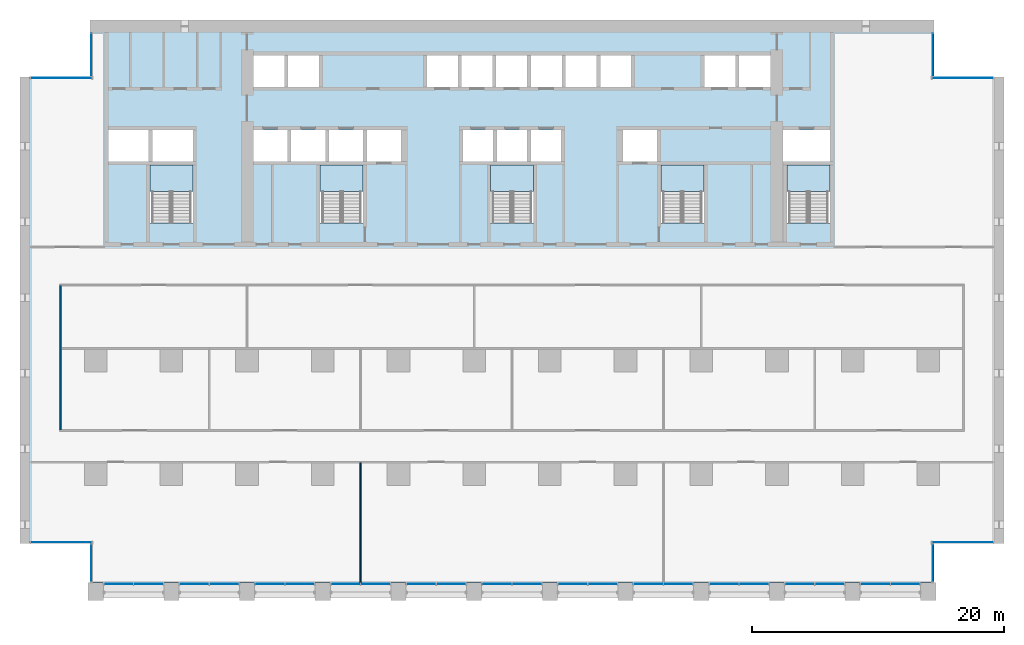
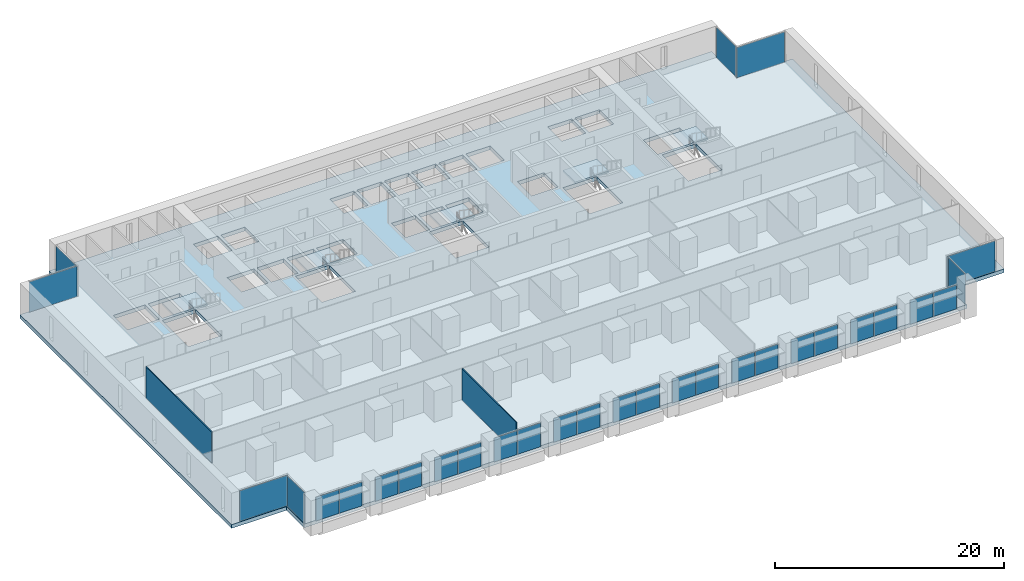
# One storey, part 7 of 18: 30 plates, 6 slabs, 2 walls, 24 elements without a shape of their own.
"""IFC4 building model written with IfcOpenShell, lengths in metres."""

from ifc_helpers import new_model, si_unit, direction, frame, frame_2d, origin, origin_2d, place, context, subcontext, project, spatial, polyline, rectangle, outline, extrude, material, layer, layer_set, type_object, element, aggregate, save


model = new_model("IFC4")

# Units and contexts
model_context = context("Model", 3, precision=1e-05, world=origin(), true_north=direction((0.0, 1.0)))
body_context = subcontext(model_context, "Body", "Model", "MODEL_VIEW")
ifc_project = project(units=[si_unit("LENGTHUNIT", "METRE"), si_unit("AREAUNIT", "SQUARE_METRE"), si_unit("VOLUMEUNIT", "CUBIC_METRE"), si_unit("PLANEANGLEUNIT", "RADIAN"), si_unit("MASSUNIT", "GRAM", prefix="KILO")], contexts=[model_context])

# Site, building, storey
site_placement = place(None, origin())
site = spatial("IfcSite", under=ifc_project, at=site_placement, CompositionType="ELEMENT")
building_placement = place(site_placement, origin())
building = spatial("IfcBuilding", under=site, at=building_placement, Name="Calvaro Tower", CompositionType="ELEMENT")
storey_placement = place(building_placement, frame((0.0, 0.0, 30.0)))
storey = spatial("IfcBuildingStorey", under=building, at=storey_placement, Name="L06", CompositionType="ELEMENT", Elevation=30.0)

# Slab
ifc_material_1 = material(Name="Concrete C40/50", Category="concrete")
ifc_layer_1 = layer(ifc_material_1, 0.39990234375)
ifc_layer_set_1 = layer_set([ifc_layer_1], Name="Concrete C40/50")
slab_type_1 = type_object("IfcSlabType", Name="Floor slab 400 C40/50", PredefinedType="FLOOR", material=ifc_layer_set_1)
slab_1_placement = place(storey_placement, frame((0.0, 0.0, -0.39990234375)))
element("IfcSlab", 1, at=slab_1_placement, inside=storey, type_object=slab_type_1, Name="Floor slab", PredefinedType="FLOOR", context=body_context, shape_type="SweptSolid", body=[
    extrude(outline(polyline([(72.449951171875, 4.5), (72.449951171875, 1.39990234375), (5.550048828125, 1.39990234375), (5.550048828125, 4.5), (0.0, 4.5), (0.0, 41.5), (5.550048828125, 41.5), (5.550048828125, 46.0), (72.449951171875, 46.0), (72.449951171875, 41.5), (78.0, 41.5), (78.0, 4.5), (72.449951171875, 4.5)]), holes=[polyline([(10.300048828125, 29.909912109375), (10.300048828125, 34.5), (12.0, 34.5), (13.699951171875, 34.5), (13.699951171875, 29.909912109375), (12.0, 29.909912109375), (10.300048828125, 29.909912109375)]), polyline([(23.800048828125, 29.909912109375), (23.800048828125, 34.5), (25.5, 34.5), (27.199951171875, 34.5), (27.199951171875, 29.909912109375), (25.5, 29.909912109375), (23.800048828125, 29.909912109375)]), polyline([(37.300048828125, 29.909912109375), (37.300048828125, 34.5), (39.0, 34.5), (40.699951171875, 34.5), (40.699951171875, 29.909912109375), (39.0, 29.909912109375), (37.300048828125, 29.909912109375)]), polyline([(50.800048828125, 29.909912109375), (50.800048828125, 34.5), (52.5, 34.5), (54.199951171875, 34.5), (54.199951171875, 29.909912109375), (52.5, 29.909912109375), (50.800048828125, 29.909912109375)]), polyline([(60.800048828125, 29.909912109375), (60.800048828125, 34.5), (62.5, 34.5), (64.199951171875, 34.5), (64.199951171875, 29.909912109375), (62.5, 29.909912109375), (60.800048828125, 29.909912109375)]), polyline([(18.5, 34.800048828125), (21.199951171875, 34.800048828125), (21.199951171875, 37.300048828125), (18.5, 37.300048828125), (18.5, 34.800048828125)]), polyline([(21.5, 34.800048828125), (24.199951171875, 34.800048828125), (24.199951171875, 37.300048828125), (21.5, 37.300048828125), (21.5, 34.800048828125)]), polyline([(24.5, 34.800048828125), (27.199951171875, 34.800048828125), (27.199951171875, 37.300048828125), (24.5, 37.300048828125), (24.5, 34.800048828125)]), polyline([(35.10009765625, 34.800048828125), (37.5, 34.800048828125), (37.5, 37.300048828125), (35.10009765625, 37.300048828125), (35.10009765625, 34.800048828125)]), polyline([(37.800048828125, 34.800048828125), (40.199951171875, 34.800048828125), (40.199951171875, 37.300048828125), (37.800048828125, 37.300048828125), (37.800048828125, 34.800048828125)]), polyline([(40.5, 34.800048828125), (42.89990234375, 34.800048828125), (42.89990234375, 37.300048828125), (40.5, 37.300048828125), (40.5, 34.800048828125)]), polyline([(18.5, 40.699951171875), (20.949951171875, 40.699951171875), (20.949951171875, 43.199951171875), (18.5, 43.199951171875), (18.5, 40.699951171875)]), polyline([(21.25, 40.699951171875), (23.699951171875, 40.699951171875), (23.699951171875, 43.199951171875), (21.25, 43.199951171875), (21.25, 40.699951171875)]), polyline([(32.25, 40.699951171875), (34.699951171875, 40.699951171875), (34.699951171875, 43.199951171875), (32.25, 43.199951171875), (32.25, 40.699951171875)]), polyline([(35.0, 40.699951171875), (37.449951171875, 40.699951171875), (37.449951171875, 43.199951171875), (35.0, 43.199951171875), (35.0, 40.699951171875)]), polyline([(37.75, 40.699951171875), (40.199951171875, 40.699951171875), (40.199951171875, 43.199951171875), (37.75, 43.199951171875), (37.75, 40.699951171875)]), polyline([(40.5, 40.699951171875), (42.949951171875, 40.699951171875), (42.949951171875, 43.199951171875), (40.5, 43.199951171875), (40.5, 40.699951171875)]), polyline([(43.25, 40.699951171875), (45.699951171875, 40.699951171875), (45.699951171875, 43.199951171875), (43.25, 43.199951171875), (43.25, 40.699951171875)]), polyline([(46.0, 40.699951171875), (48.449951171875, 40.699951171875), (48.449951171875, 43.199951171875), (46.0, 43.199951171875), (46.0, 40.699951171875)]), polyline([(54.25, 40.699951171875), (56.699951171875, 40.699951171875), (56.699951171875, 43.199951171875), (54.25, 43.199951171875), (54.25, 40.699951171875)]), polyline([(57.0, 40.699951171875), (59.5, 40.699951171875), (59.5, 43.199951171875), (57.0, 43.199951171875), (57.0, 40.699951171875)]), polyline([(7.0, 34.800048828125), (10.199951171875, 34.800048828125), (10.199951171875, 37.300048828125), (7.0, 37.300048828125), (7.0, 34.800048828125)]), polyline([(10.5, 34.800048828125), (13.699951171875, 34.800048828125), (13.699951171875, 37.300048828125), (10.5, 37.300048828125), (10.5, 34.800048828125)]), polyline([(60.5, 34.800048828125), (64.199951171875, 34.800048828125), (64.199951171875, 37.300048828125), (60.5, 37.300048828125), (60.5, 34.800048828125)]), polyline([(27.5, 34.800048828125), (30.199951171875, 34.800048828125), (30.199951171875, 37.300048828125), (27.5, 37.300048828125), (27.5, 34.800048828125)]), polyline([(47.800048828125, 34.800048828125), (50.5, 34.800048828125), (50.5, 37.300048828125), (47.800048828125, 37.300048828125), (47.800048828125, 34.800048828125)])]), origin(), (0.0, 0.0, 1.0), 0.39990234375),
])

# Curtain wall, plates
ifc_material_2 = material(Name="Anodised aluminium", Category="aluminium")
curtain_wall_type = type_object("IfcCurtainWallType", Name="Office curtain wall, lower zone", PredefinedType="NOTDEFINED", material=ifc_material_2)
curtain_wall_1_placement = place(storey_placement, origin())
curtain_wall_1 = element("IfcCurtainWall", 2, at=curtain_wall_1_placement, inside=storey, type_object=curtain_wall_type, Name="CW1 south curtain wall", PredefinedType="NOTDEFINED")
ifc_material_3 = material(Name="Glass", Category="glass")
ifc_layer_2 = layer(ifc_material_3, 0.028076171875)
ifc_layer_set_2 = layer_set([ifc_layer_2], Name="Glass")
plate_type = type_object("IfcPlateType", Name="Glass panel S1 28", PredefinedType="CURTAIN_PANEL", material=ifc_layer_set_2)
plate_1_placement = place(storey_placement, frame((7.81494140625, 1.300048828125, 0.0), z_axis=(0.0, 0.0, 1.0), x_axis=(1.0, 0.0, 0.0)))
plate_1 = element("IfcPlate", 3, at=plate_1_placement, type_object=plate_type, Name="CW1 glass panel 1.1", PredefinedType="CURTAIN_PANEL", context=body_context, shape_type="SweptSolid", body=[
    extrude(rectangle(XDim=2.31005859375, YDim=0.028076171875, at=origin_2d()), origin(), (0.0, 0.0, 1.0), 2.550048828125),
])
plate_2_placement = place(storey_placement, frame((10.18505859375, 1.300048828125, 0.0), z_axis=(0.0, 0.0, 1.0), x_axis=(1.0, 0.0, 0.0)))
plate_2 = element("IfcPlate", 4, at=plate_2_placement, type_object=plate_type, Name="CW1 glass panel 2.1", PredefinedType="CURTAIN_PANEL", context=body_context, shape_type="SweptSolid", body=[
    extrude(rectangle(XDim=2.31005859375, YDim=0.028076171875, at=origin_2d()), origin(), (0.0, 0.0, 1.0), 2.550048828125),
])
aggregate(curtain_wall_1, [plate_1, plate_2])

curtain_wall_2_placement = place(storey_placement, origin())
curtain_wall_2 = element("IfcCurtainWall", 5, at=curtain_wall_2_placement, inside=storey, type_object=curtain_wall_type, Name="CW1 south curtain wall", PredefinedType="NOTDEFINED")
plate_3_placement = place(storey_placement, frame((13.81494140625, 1.300048828125, 0.0), z_axis=(0.0, 0.0, 1.0), x_axis=(1.0, 0.0, 0.0)))
plate_3 = element("IfcPlate", 6, at=plate_3_placement, type_object=plate_type, Name="CW1 glass panel 1.1", PredefinedType="CURTAIN_PANEL", context=body_context, shape_type="SweptSolid", body=[
    extrude(rectangle(XDim=2.31005859375, YDim=0.028076171875, at=origin_2d()), origin(), (0.0, 0.0, 1.0), 2.550048828125),
])
plate_4_placement = place(storey_placement, frame((16.18505859375, 1.300048828125, 0.0), z_axis=(0.0, 0.0, 1.0), x_axis=(1.0, 0.0, 0.0)))
plate_4 = element("IfcPlate", 7, at=plate_4_placement, type_object=plate_type, Name="CW1 glass panel 2.1", PredefinedType="CURTAIN_PANEL", context=body_context, shape_type="SweptSolid", body=[
    extrude(rectangle(XDim=2.31005859375, YDim=0.028076171875, at=origin_2d()), origin(), (0.0, 0.0, 1.0), 2.550048828125),
])
aggregate(curtain_wall_2, [plate_3, plate_4])

curtain_wall_3_placement = place(storey_placement, origin())
curtain_wall_3 = element("IfcCurtainWall", 8, at=curtain_wall_3_placement, inside=storey, type_object=curtain_wall_type, Name="CW1 south curtain wall", PredefinedType="NOTDEFINED")
plate_5_placement = place(storey_placement, frame((19.81494140625, 1.300048828125, 0.0), z_axis=(0.0, 0.0, 1.0), x_axis=(1.0, 0.0, 0.0)))
plate_5 = element("IfcPlate", 9, at=plate_5_placement, type_object=plate_type, Name="CW1 glass panel 1.1", PredefinedType="CURTAIN_PANEL", context=body_context, shape_type="SweptSolid", body=[
    extrude(rectangle(XDim=2.31005859375, YDim=0.028076171875, at=origin_2d()), origin(), (0.0, 0.0, 1.0), 2.550048828125),
])
plate_6_placement = place(storey_placement, frame((22.18505859375, 1.300048828125, 0.0), z_axis=(0.0, 0.0, 1.0), x_axis=(1.0, 0.0, 0.0)))
plate_6 = element("IfcPlate", 10, at=plate_6_placement, type_object=plate_type, Name="CW1 glass panel 2.1", PredefinedType="CURTAIN_PANEL", context=body_context, shape_type="SweptSolid", body=[
    extrude(rectangle(XDim=2.31005859375, YDim=0.028076171875, at=origin_2d()), origin(), (0.0, 0.0, 1.0), 2.550048828125),
])
aggregate(curtain_wall_3, [plate_5, plate_6])

curtain_wall_4_placement = place(storey_placement, origin())
curtain_wall_4 = element("IfcCurtainWall", 11, at=curtain_wall_4_placement, inside=storey, type_object=curtain_wall_type, Name="CW1 south curtain wall", PredefinedType="NOTDEFINED")
plate_7_placement = place(storey_placement, frame((25.81494140625, 1.300048828125, 0.0), z_axis=(0.0, 0.0, 1.0), x_axis=(1.0, 0.0, 0.0)))
plate_7 = element("IfcPlate", 12, at=plate_7_placement, type_object=plate_type, Name="CW1 glass panel 1.1", PredefinedType="CURTAIN_PANEL", context=body_context, shape_type="SweptSolid", body=[
    extrude(rectangle(XDim=2.31005859375, YDim=0.028076171875, at=origin_2d()), origin(), (0.0, 0.0, 1.0), 2.550048828125),
])
plate_8_placement = place(storey_placement, frame((28.18505859375, 1.300048828125, 0.0), z_axis=(0.0, 0.0, 1.0), x_axis=(1.0, 0.0, 0.0)))
plate_8 = element("IfcPlate", 13, at=plate_8_placement, type_object=plate_type, Name="CW1 glass panel 2.1", PredefinedType="CURTAIN_PANEL", context=body_context, shape_type="SweptSolid", body=[
    extrude(rectangle(XDim=2.31005859375, YDim=0.028076171875, at=origin_2d()), origin(), (0.0, 0.0, 1.0), 2.550048828125),
])
aggregate(curtain_wall_4, [plate_7, plate_8])

curtain_wall_5_placement = place(storey_placement, origin())
curtain_wall_5 = element("IfcCurtainWall", 14, at=curtain_wall_5_placement, inside=storey, type_object=curtain_wall_type, Name="CW1 south curtain wall", PredefinedType="NOTDEFINED")
plate_9_placement = place(storey_placement, frame((31.81494140625, 1.300048828125, 0.0), z_axis=(0.0, 0.0, 1.0), x_axis=(1.0, 0.0, 0.0)))
plate_9 = element("IfcPlate", 15, at=plate_9_placement, type_object=plate_type, Name="CW1 glass panel 1.1", PredefinedType="CURTAIN_PANEL", context=body_context, shape_type="SweptSolid", body=[
    extrude(rectangle(XDim=2.31005859375, YDim=0.028076171875, at=origin_2d()), origin(), (0.0, 0.0, 1.0), 2.550048828125),
])
plate_10_placement = place(storey_placement, frame((34.18505859375, 1.300048828125, 0.0), z_axis=(0.0, 0.0, 1.0), x_axis=(1.0, 0.0, 0.0)))
plate_10 = element("IfcPlate", 16, at=plate_10_placement, type_object=plate_type, Name="CW1 glass panel 2.1", PredefinedType="CURTAIN_PANEL", context=body_context, shape_type="SweptSolid", body=[
    extrude(rectangle(XDim=2.31005859375, YDim=0.028076171875, at=origin_2d()), origin(), (0.0, 0.0, 1.0), 2.550048828125),
])
aggregate(curtain_wall_5, [plate_9, plate_10])

curtain_wall_6_placement = place(storey_placement, origin())
curtain_wall_6 = element("IfcCurtainWall", 17, at=curtain_wall_6_placement, inside=storey, type_object=curtain_wall_type, Name="CW1 south curtain wall", PredefinedType="NOTDEFINED")
plate_11_placement = place(storey_placement, frame((37.81494140625, 1.300048828125, 0.0), z_axis=(0.0, 0.0, 1.0), x_axis=(1.0, 0.0, 0.0)))
plate_11 = element("IfcPlate", 18, at=plate_11_placement, type_object=plate_type, Name="CW1 glass panel 1.1", PredefinedType="CURTAIN_PANEL", context=body_context, shape_type="SweptSolid", body=[
    extrude(rectangle(XDim=2.31005859375, YDim=0.028076171875, at=origin_2d()), origin(), (0.0, 0.0, 1.0), 2.550048828125),
])
plate_12_placement = place(storey_placement, frame((40.18505859375, 1.300048828125, 0.0), z_axis=(0.0, 0.0, 1.0), x_axis=(1.0, 0.0, 0.0)))
plate_12 = element("IfcPlate", 19, at=plate_12_placement, type_object=plate_type, Name="CW1 glass panel 2.1", PredefinedType="CURTAIN_PANEL", context=body_context, shape_type="SweptSolid", body=[
    extrude(rectangle(XDim=2.31005859375, YDim=0.028076171875, at=origin_2d()), origin(), (0.0, 0.0, 1.0), 2.550048828125),
])
aggregate(curtain_wall_6, [plate_11, plate_12])

curtain_wall_7_placement = place(storey_placement, origin())
curtain_wall_7 = element("IfcCurtainWall", 20, at=curtain_wall_7_placement, inside=storey, type_object=curtain_wall_type, Name="CW1 south curtain wall", PredefinedType="NOTDEFINED")
plate_13_placement = place(storey_placement, frame((43.81494140625, 1.300048828125, 0.0), z_axis=(0.0, 0.0, 1.0), x_axis=(1.0, 0.0, 0.0)))
plate_13 = element("IfcPlate", 21, at=plate_13_placement, type_object=plate_type, Name="CW1 glass panel 1.1", PredefinedType="CURTAIN_PANEL", context=body_context, shape_type="SweptSolid", body=[
    extrude(rectangle(XDim=2.31005859375, YDim=0.028076171875, at=origin_2d()), origin(), (0.0, 0.0, 1.0), 2.550048828125),
])
plate_14_placement = place(storey_placement, frame((46.18505859375, 1.300048828125, 0.0), z_axis=(0.0, 0.0, 1.0), x_axis=(1.0, 0.0, 0.0)))
plate_14 = element("IfcPlate", 22, at=plate_14_placement, type_object=plate_type, Name="CW1 glass panel 2.1", PredefinedType="CURTAIN_PANEL", context=body_context, shape_type="SweptSolid", body=[
    extrude(rectangle(XDim=2.31005859375, YDim=0.028076171875, at=origin_2d()), origin(), (0.0, 0.0, 1.0), 2.550048828125),
])
aggregate(curtain_wall_7, [plate_13, plate_14])

curtain_wall_8_placement = place(storey_placement, origin())
curtain_wall_8 = element("IfcCurtainWall", 23, at=curtain_wall_8_placement, inside=storey, type_object=curtain_wall_type, Name="CW1 south curtain wall", PredefinedType="NOTDEFINED")
plate_15_placement = place(storey_placement, frame((49.81494140625, 1.300048828125, 0.0), z_axis=(0.0, 0.0, 1.0), x_axis=(1.0, 0.0, 0.0)))
plate_15 = element("IfcPlate", 24, at=plate_15_placement, type_object=plate_type, Name="CW1 glass panel 1.1", PredefinedType="CURTAIN_PANEL", context=body_context, shape_type="SweptSolid", body=[
    extrude(rectangle(XDim=2.31005859375, YDim=0.028076171875, at=origin_2d()), origin(), (0.0, 0.0, 1.0), 2.550048828125),
])
plate_16_placement = place(storey_placement, frame((52.18505859375, 1.300048828125, 0.0), z_axis=(0.0, 0.0, 1.0), x_axis=(1.0, 0.0, 0.0)))
plate_16 = element("IfcPlate", 25, at=plate_16_placement, type_object=plate_type, Name="CW1 glass panel 2.1", PredefinedType="CURTAIN_PANEL", context=body_context, shape_type="SweptSolid", body=[
    extrude(rectangle(XDim=2.31005859375, YDim=0.028076171875, at=origin_2d()), origin(), (0.0, 0.0, 1.0), 2.550048828125),
])
aggregate(curtain_wall_8, [plate_15, plate_16])

curtain_wall_9_placement = place(storey_placement, origin())
curtain_wall_9 = element("IfcCurtainWall", 26, at=curtain_wall_9_placement, inside=storey, type_object=curtain_wall_type, Name="CW1 south curtain wall", PredefinedType="NOTDEFINED")
plate_17_placement = place(storey_placement, frame((55.81494140625, 1.300048828125, 0.0), z_axis=(0.0, 0.0, 1.0), x_axis=(1.0, 0.0, 0.0)))
plate_17 = element("IfcPlate", 27, at=plate_17_placement, type_object=plate_type, Name="CW1 glass panel 1.1", PredefinedType="CURTAIN_PANEL", context=body_context, shape_type="SweptSolid", body=[
    extrude(rectangle(XDim=2.31005859375, YDim=0.028076171875, at=origin_2d()), origin(), (0.0, 0.0, 1.0), 2.550048828125),
])
plate_18_placement = place(storey_placement, frame((58.18505859375, 1.300048828125, 0.0), z_axis=(0.0, 0.0, 1.0), x_axis=(1.0, 0.0, 0.0)))
plate_18 = element("IfcPlate", 28, at=plate_18_placement, type_object=plate_type, Name="CW1 glass panel 2.1", PredefinedType="CURTAIN_PANEL", context=body_context, shape_type="SweptSolid", body=[
    extrude(rectangle(XDim=2.31005859375, YDim=0.028076171875, at=origin_2d()), origin(), (0.0, 0.0, 1.0), 2.550048828125),
])
aggregate(curtain_wall_9, [plate_17, plate_18])

curtain_wall_10_placement = place(storey_placement, origin())
curtain_wall_10 = element("IfcCurtainWall", 29, at=curtain_wall_10_placement, inside=storey, type_object=curtain_wall_type, Name="CW1 south curtain wall", PredefinedType="NOTDEFINED")
plate_19_placement = place(storey_placement, frame((61.81494140625, 1.300048828125, 0.0), z_axis=(0.0, 0.0, 1.0), x_axis=(1.0, 0.0, 0.0)))
plate_19 = element("IfcPlate", 30, at=plate_19_placement, type_object=plate_type, Name="CW1 glass panel 1.1", PredefinedType="CURTAIN_PANEL", context=body_context, shape_type="SweptSolid", body=[
    extrude(rectangle(XDim=2.31005859375, YDim=0.028076171875, at=origin_2d()), origin(), (0.0, 0.0, 1.0), 2.550048828125),
])
plate_20_placement = place(storey_placement, frame((64.18505859375, 1.300048828125, 0.0), z_axis=(0.0, 0.0, 1.0), x_axis=(1.0, 0.0, 0.0)))
plate_20 = element("IfcPlate", 31, at=plate_20_placement, type_object=plate_type, Name="CW1 glass panel 2.1", PredefinedType="CURTAIN_PANEL", context=body_context, shape_type="SweptSolid", body=[
    extrude(rectangle(XDim=2.31005859375, YDim=0.028076171875, at=origin_2d()), origin(), (0.0, 0.0, 1.0), 2.550048828125),
])
aggregate(curtain_wall_10, [plate_19, plate_20])

curtain_wall_11_placement = place(storey_placement, origin())
curtain_wall_11 = element("IfcCurtainWall", 32, at=curtain_wall_11_placement, inside=storey, type_object=curtain_wall_type, Name="CW1 south curtain wall", PredefinedType="NOTDEFINED")
plate_21_placement = place(storey_placement, frame((67.81494140625, 1.300048828125, 0.0), z_axis=(0.0, 0.0, 1.0), x_axis=(1.0, 0.0, 0.0)))
plate_21 = element("IfcPlate", 33, at=plate_21_placement, type_object=plate_type, Name="CW1 glass panel 1.1", PredefinedType="CURTAIN_PANEL", context=body_context, shape_type="SweptSolid", body=[
    extrude(rectangle(XDim=2.31005859375, YDim=0.028076171875, at=origin_2d()), origin(), (0.0, 0.0, 1.0), 2.550048828125),
])
plate_22_placement = place(storey_placement, frame((70.18505859375, 1.300048828125, 0.0), z_axis=(0.0, 0.0, 1.0), x_axis=(1.0, 0.0, 0.0)))
plate_22 = element("IfcPlate", 34, at=plate_22_placement, type_object=plate_type, Name="CW1 glass panel 2.1", PredefinedType="CURTAIN_PANEL", context=body_context, shape_type="SweptSolid", body=[
    extrude(rectangle(XDim=2.31005859375, YDim=0.028076171875, at=origin_2d()), origin(), (0.0, 0.0, 1.0), 2.550048828125),
])
aggregate(curtain_wall_11, [plate_21, plate_22])

# Curtain wall, plate
curtain_wall_12_placement = place(storey_placement, origin())
curtain_wall_12 = element("IfcCurtainWall", 35, at=curtain_wall_12_placement, inside=storey, type_object=curtain_wall_type, Name="CW1 corner curtain wall", PredefinedType="NOTDEFINED")
plate_23_placement = place(storey_placement, frame((5.64990234375, 2.949951171875, 0.0), z_axis=(0.0, 0.0, 1.0), x_axis=(0.0, 1.0, 0.0)))
plate_23 = element("IfcPlate", 36, at=plate_23_placement, type_object=plate_type, Name="CW1 glass panel 1.1", PredefinedType="CURTAIN_PANEL", context=body_context, shape_type="SweptSolid", body=[
    extrude(rectangle(XDim=2.97998046875, YDim=0.028076171875, at=origin_2d()), origin(), (0.0, 0.0, 1.0), 3.25),
])
aggregate(curtain_wall_12, [plate_23])

curtain_wall_13_placement = place(storey_placement, origin())
curtain_wall_13 = element("IfcCurtainWall", 37, at=curtain_wall_13_placement, inside=storey, type_object=curtain_wall_type, Name="CW1 corner curtain wall", PredefinedType="NOTDEFINED")
plate_24_placement = place(storey_placement, frame((3.27490234375, 4.60009765625, 0.0), z_axis=(0.0, 0.0, 1.0), x_axis=(1.0, 0.0, 0.0)))
plate_24 = element("IfcPlate", 38, at=plate_24_placement, type_object=plate_type, Name="CW1 glass panel 1.1", PredefinedType="CURTAIN_PANEL", context=body_context, shape_type="SweptSolid", body=[
    extrude(rectangle(XDim=4.830078125, YDim=0.028076171875, at=origin_2d()), origin(), (0.0, 0.0, 1.0), 3.25),
])
aggregate(curtain_wall_13, [plate_24])

curtain_wall_14_placement = place(storey_placement, origin())
curtain_wall_14 = element("IfcCurtainWall", 39, at=curtain_wall_14_placement, inside=storey, type_object=curtain_wall_type, Name="CW1 corner curtain wall", PredefinedType="NOTDEFINED")
plate_25_placement = place(storey_placement, frame((5.64990234375, 43.25, 0.0), z_axis=(0.0, 0.0, 1.0), x_axis=(0.0, 1.0, 0.0)))
plate_25 = element("IfcPlate", 40, at=plate_25_placement, type_object=plate_type, Name="CW1 glass panel 1.1", PredefinedType="CURTAIN_PANEL", context=body_context, shape_type="SweptSolid", body=[
    extrude(rectangle(XDim=3.3798828125, YDim=0.028076171875, at=origin_2d()), origin(), (0.0, 0.0, 1.0), 3.25),
])
aggregate(curtain_wall_14, [plate_25])

curtain_wall_15_placement = place(storey_placement, origin())
curtain_wall_15 = element("IfcCurtainWall", 41, at=curtain_wall_15_placement, inside=storey, type_object=curtain_wall_type, Name="CW1 corner curtain wall", PredefinedType="NOTDEFINED")
plate_26_placement = place(storey_placement, frame((3.27490234375, 41.39990234375, 0.0), z_axis=(0.0, 0.0, 1.0), x_axis=(1.0, 0.0, 0.0)))
plate_26 = element("IfcPlate", 42, at=plate_26_placement, type_object=plate_type, Name="CW1 glass panel 1.1", PredefinedType="CURTAIN_PANEL", context=body_context, shape_type="SweptSolid", body=[
    extrude(rectangle(XDim=4.830078125, YDim=0.028076171875, at=origin_2d()), origin(), (0.0, 0.0, 1.0), 3.25),
])
aggregate(curtain_wall_15, [plate_26])

curtain_wall_16_placement = place(storey_placement, origin())
curtain_wall_16 = element("IfcCurtainWall", 43, at=curtain_wall_16_placement, inside=storey, type_object=curtain_wall_type, Name="CW1 corner curtain wall", PredefinedType="NOTDEFINED")
plate_27_placement = place(storey_placement, frame((72.35009765625, 2.949951171875, 0.0), z_axis=(0.0, 0.0, 1.0), x_axis=(0.0, 1.0, 0.0)))
plate_27 = element("IfcPlate", 44, at=plate_27_placement, type_object=plate_type, Name="CW1 glass panel 1.1", PredefinedType="CURTAIN_PANEL", context=body_context, shape_type="SweptSolid", body=[
    extrude(rectangle(XDim=2.97998046875, YDim=0.028076171875, at=origin_2d()), origin(), (0.0, 0.0, 1.0), 3.25),
])
aggregate(curtain_wall_16, [plate_27])

curtain_wall_17_placement = place(storey_placement, origin())
curtain_wall_17 = element("IfcCurtainWall", 45, at=curtain_wall_17_placement, inside=storey, type_object=curtain_wall_type, Name="CW1 corner curtain wall", PredefinedType="NOTDEFINED")
plate_28_placement = place(storey_placement, frame((74.72509765625, 4.60009765625, 0.0), z_axis=(0.0, 0.0, 1.0), x_axis=(1.0, 0.0, 0.0)))
plate_28 = element("IfcPlate", 46, at=plate_28_placement, type_object=plate_type, Name="CW1 glass panel 1.1", PredefinedType="CURTAIN_PANEL", context=body_context, shape_type="SweptSolid", body=[
    extrude(rectangle(XDim=4.830078125, YDim=0.028076171875, at=origin_2d()), origin(), (0.0, 0.0, 1.0), 3.25),
])
aggregate(curtain_wall_17, [plate_28])

curtain_wall_18_placement = place(storey_placement, origin())
curtain_wall_18 = element("IfcCurtainWall", 47, at=curtain_wall_18_placement, inside=storey, type_object=curtain_wall_type, Name="CW1 corner curtain wall", PredefinedType="NOTDEFINED")
plate_29_placement = place(storey_placement, frame((72.35009765625, 43.25, 0.0), z_axis=(0.0, 0.0, 1.0), x_axis=(0.0, 1.0, 0.0)))
plate_29 = element("IfcPlate", 48, at=plate_29_placement, type_object=plate_type, Name="CW1 glass panel 1.1", PredefinedType="CURTAIN_PANEL", context=body_context, shape_type="SweptSolid", body=[
    extrude(rectangle(XDim=3.3798828125, YDim=0.028076171875, at=origin_2d()), origin(), (0.0, 0.0, 1.0), 3.25),
])
aggregate(curtain_wall_18, [plate_29])

curtain_wall_19_placement = place(storey_placement, origin())
curtain_wall_19 = element("IfcCurtainWall", 49, at=curtain_wall_19_placement, inside=storey, type_object=curtain_wall_type, Name="CW1 corner curtain wall", PredefinedType="NOTDEFINED")
plate_30_placement = place(storey_placement, frame((74.72509765625, 41.39990234375, 0.0), z_axis=(0.0, 0.0, 1.0), x_axis=(1.0, 0.0, 0.0)))
plate_30 = element("IfcPlate", 50, at=plate_30_placement, type_object=plate_type, Name="CW1 glass panel 1.1", PredefinedType="CURTAIN_PANEL", context=body_context, shape_type="SweptSolid", body=[
    extrude(rectangle(XDim=4.830078125, YDim=0.028076171875, at=origin_2d()), origin(), (0.0, 0.0, 1.0), 3.25),
])
aggregate(curtain_wall_19, [plate_30])

# Stair, slab
ifc_material_4 = material(Name="Concrete C40/50", Category="concrete")
stair_type = type_object("IfcStairType", Name="Exit stair 1400 2 flights", PredefinedType="HALF_TURN_STAIR", material=ifc_material_4)
stair_1_placement = place(storey_placement, origin())
stair_1 = element("IfcStair", 51, at=stair_1_placement, inside=storey, type_object=stair_type, Name="Exit stair S1", PredefinedType="HALF_TURN_STAIR")
ifc_material_5 = material(Name="Concrete C40/50", Category="concrete")
ifc_layer_3 = layer(ifc_material_5, 0.199951171875)
ifc_layer_set_3 = layer_set([ifc_layer_3], Name="Concrete C40/50")
slab_type_2 = type_object("IfcSlabType", Name="Stair landing", PredefinedType="LANDING", material=ifc_layer_set_3)
slab_2_placement = place(storey_placement, frame((0.0, 0.0, 1.675048828125)))
slab_2 = element("IfcSlab", 52, at=slab_2_placement, type_object=slab_type_2, Name="Exit stair 1, landing 1", PredefinedType="LANDING", context=body_context, shape_type="SweptSolid", body=[
    extrude(outline(polyline([(11.89990234375, 32.389892578125), (10.5, 32.389892578125), (10.5, 32.39990234375), (10.300048828125, 32.39990234375), (10.300048828125, 34.5), (10.5, 34.5), (11.89990234375, 34.5), (12.10009765625, 34.5), (13.5, 34.5), (13.699951171875, 34.5), (13.699951171875, 32.39990234375), (13.5, 32.39990234375), (13.5, 32.389892578125), (12.10009765625, 32.389892578125), (12.10009765625, 32.39990234375), (11.89990234375, 32.39990234375), (11.89990234375, 32.389892578125)])), origin(), (0.0, 0.0, 1.0), 0.199951171875),
])
aggregate(stair_1, [slab_2])

stair_2_placement = place(storey_placement, origin())
stair_2 = element("IfcStair", 53, at=stair_2_placement, inside=storey, type_object=stair_type, Name="Exit stair S2", PredefinedType="HALF_TURN_STAIR")
slab_3_placement = place(storey_placement, frame((0.0, 0.0, 1.675048828125)))
slab_3 = element("IfcSlab", 54, at=slab_3_placement, type_object=slab_type_2, Name="Exit stair 2, landing 1", PredefinedType="LANDING", context=body_context, shape_type="SweptSolid", body=[
    extrude(outline(polyline([(25.39990234375, 32.389892578125), (24.0, 32.389892578125), (24.0, 32.39990234375), (23.800048828125, 32.39990234375), (23.800048828125, 34.5), (24.0, 34.5), (25.39990234375, 34.5), (25.60009765625, 34.5), (27.0, 34.5), (27.199951171875, 34.5), (27.199951171875, 32.39990234375), (27.0, 32.39990234375), (27.0, 32.389892578125), (25.60009765625, 32.389892578125), (25.60009765625, 32.39990234375), (25.39990234375, 32.39990234375), (25.39990234375, 32.389892578125)])), origin(), (0.0, 0.0, 1.0), 0.199951171875),
])
aggregate(stair_2, [slab_3])

stair_3_placement = place(storey_placement, origin())
stair_3 = element("IfcStair", 55, at=stair_3_placement, inside=storey, type_object=stair_type, Name="Exit stair S3", PredefinedType="HALF_TURN_STAIR")
slab_4_placement = place(storey_placement, frame((0.0, 0.0, 1.675048828125)))
slab_4 = element("IfcSlab", 56, at=slab_4_placement, type_object=slab_type_2, Name="Exit stair 3, landing 1", PredefinedType="LANDING", context=body_context, shape_type="SweptSolid", body=[
    extrude(outline(polyline([(38.89990234375, 32.389892578125), (37.5, 32.389892578125), (37.5, 32.39990234375), (37.300048828125, 32.39990234375), (37.300048828125, 34.5), (37.5, 34.5), (38.89990234375, 34.5), (39.10009765625, 34.5), (40.5, 34.5), (40.699951171875, 34.5), (40.699951171875, 32.39990234375), (40.5, 32.39990234375), (40.5, 32.389892578125), (39.10009765625, 32.389892578125), (39.10009765625, 32.39990234375), (38.89990234375, 32.39990234375), (38.89990234375, 32.389892578125)])), origin(), (0.0, 0.0, 1.0), 0.199951171875),
])
aggregate(stair_3, [slab_4])

stair_4_placement = place(storey_placement, origin())
stair_4 = element("IfcStair", 57, at=stair_4_placement, inside=storey, type_object=stair_type, Name="Exit stair S4", PredefinedType="HALF_TURN_STAIR")
slab_5_placement = place(storey_placement, frame((0.0, 0.0, 1.675048828125)))
slab_5 = element("IfcSlab", 58, at=slab_5_placement, type_object=slab_type_2, Name="Exit stair 4, landing 1", PredefinedType="LANDING", context=body_context, shape_type="SweptSolid", body=[
    extrude(outline(polyline([(52.39990234375, 32.389892578125), (51.0, 32.389892578125), (51.0, 32.39990234375), (50.800048828125, 32.39990234375), (50.800048828125, 34.5), (51.0, 34.5), (52.39990234375, 34.5), (52.60009765625, 34.5), (54.0, 34.5), (54.199951171875, 34.5), (54.199951171875, 32.39990234375), (54.0, 32.39990234375), (54.0, 32.389892578125), (52.60009765625, 32.389892578125), (52.60009765625, 32.39990234375), (52.39990234375, 32.39990234375), (52.39990234375, 32.389892578125)])), origin(), (0.0, 0.0, 1.0), 0.199951171875),
])
aggregate(stair_4, [slab_5])

stair_5_placement = place(storey_placement, origin())
stair_5 = element("IfcStair", 59, at=stair_5_placement, inside=storey, type_object=stair_type, Name="Exit stair S5", PredefinedType="HALF_TURN_STAIR")
slab_6_placement = place(storey_placement, frame((0.0, 0.0, 1.675048828125)))
slab_6 = element("IfcSlab", 60, at=slab_6_placement, type_object=slab_type_2, Name="Exit stair 5, landing 1", PredefinedType="LANDING", context=body_context, shape_type="SweptSolid", body=[
    extrude(outline(polyline([(62.39990234375, 32.389892578125), (61.0, 32.389892578125), (61.0, 32.39990234375), (60.800048828125, 32.39990234375), (60.800048828125, 34.5), (61.0, 34.5), (62.39990234375, 34.5), (62.60009765625, 34.5), (64.0, 34.5), (64.199951171875, 34.5), (64.199951171875, 32.39990234375), (64.0, 32.39990234375), (64.0, 32.389892578125), (62.60009765625, 32.389892578125), (62.60009765625, 32.39990234375), (62.39990234375, 32.39990234375), (62.39990234375, 32.389892578125)])), origin(), (0.0, 0.0, 1.0), 0.199951171875),
])
aggregate(stair_5, [slab_6])

# Walls
ifc_material_6 = material(Name="Plasterboard on steel studs", Category="steel")
ifc_layer_4 = layer(ifc_material_6, 0.10009765625)
ifc_layer_set_4 = layer_set([ifc_layer_4], Name="Plasterboard on steel studs")
wall_type = type_object("IfcWallType", Name="Partition 100", PredefinedType="PARTITIONING", material=ifc_layer_set_4)
wall_1_placement = place(storey_placement, frame((3.199951171875, 13.5, 0.0), z_axis=(0.0, 0.0, 1.0), x_axis=(0.0, 1.0, 0.0)))
element("IfcWall", 61, at=wall_1_placement, inside=storey, type_object=wall_type, Name="Partition T08.W007", PredefinedType="PARTITIONING", context=body_context, shape_type="SweptSolid", body=[
    extrude(rectangle(XDim=11.449951171875, YDim=0.10009765625, at=frame_2d((5.72509765625, 0.0))), origin(), (0.0, 0.0, 1.0), 3.35009765625),
])
wall_2_placement = place(storey_placement, frame((27.0, 1.39990234375, 0.0), z_axis=(0.0, 0.0, 1.0), x_axis=(0.0, 1.0, 0.0)))
element("IfcWall", 62, at=wall_2_placement, inside=storey, type_object=wall_type, Name="Partition T08.W010", PredefinedType="PARTITIONING", context=body_context, shape_type="SweptSolid", body=[
    extrude(rectangle(XDim=9.5, YDim=0.10009765625, at=frame_2d((4.75, 0.0))), origin(), (0.0, 0.0, 1.0), 3.35009765625),
])

save(model, "model.ifc")
